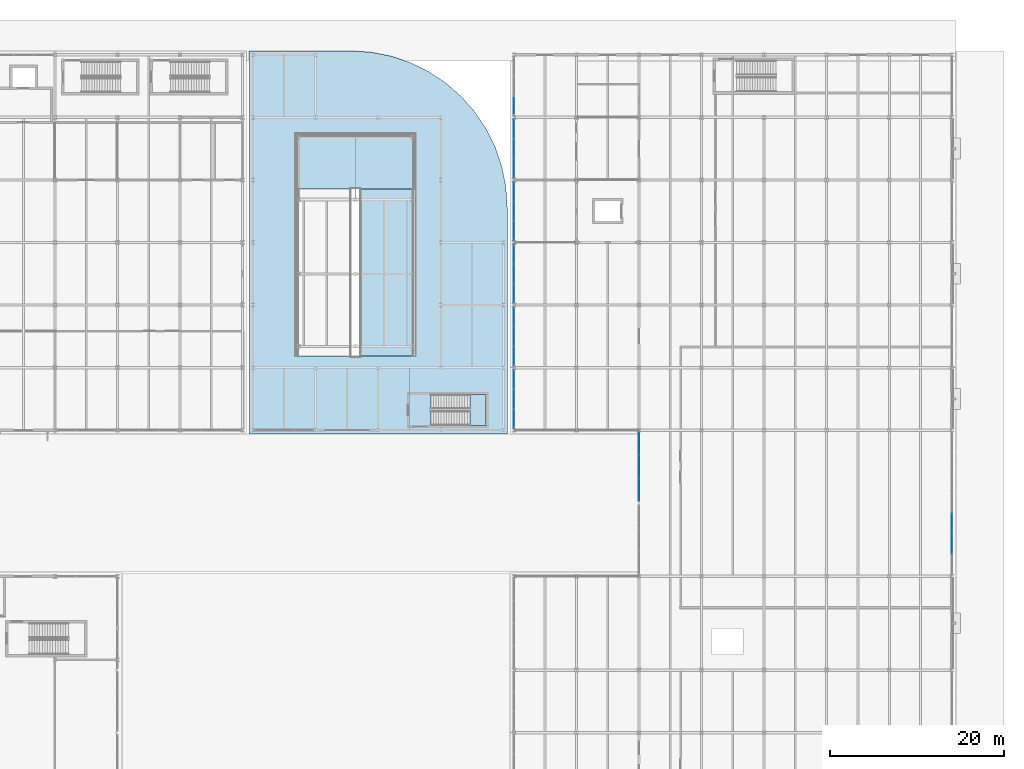
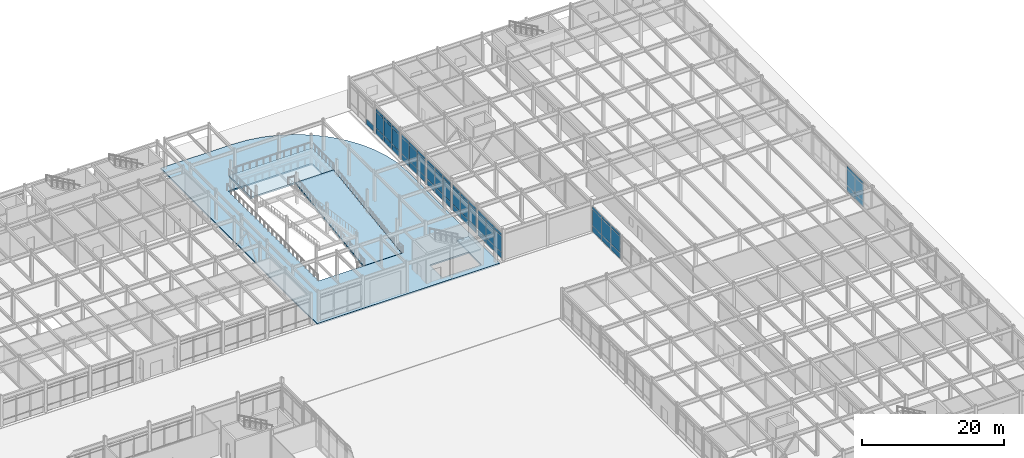
# One storey, part 65 of 104: 61 plates, 4 slabs, 9 elements without a shape of their own.
"""IFC4 building model written with IfcOpenShell, lengths in metres."""

from ifc_helpers import new_model, si_unit, direction, frame, origin, origin_2d, place, context, subcontext, project, spatial, polyline, rectangle, outline, extrude, material, layer, layer_set, type_object, element, aggregate, save


model = new_model("IFC4")

# Units and contexts
model_context = context("Model", 3, precision=1e-05, world=origin(), true_north=direction((0.0, 1.0)))
body_context = subcontext(model_context, "Body", "Model", "MODEL_VIEW")
ifc_project = project(units=[si_unit("LENGTHUNIT", "METRE"), si_unit("AREAUNIT", "SQUARE_METRE"), si_unit("VOLUMEUNIT", "CUBIC_METRE"), si_unit("PLANEANGLEUNIT", "RADIAN"), si_unit("MASSUNIT", "GRAM", prefix="KILO")], contexts=[model_context])

# Site, building, storey
site_placement = place(None, origin())
site = spatial("IfcSite", under=ifc_project, at=site_placement, CompositionType="ELEMENT")
building_placement = place(site_placement, origin())
building = spatial("IfcBuilding", under=site, at=building_placement, Name="Vaelcorin Mobility Hub", CompositionType="ELEMENT")
storey_placement = place(building_placement, origin())
storey = spatial("IfcBuildingStorey", under=building, at=storey_placement, Name="L00", CompositionType="ELEMENT", Elevation=0.0)

# Curtain wall, plates
ifc_material_1 = material(Name="Anodised aluminium 6063-T6", Category="aluminium")
curtain_wall_type = type_object("IfcCurtainWallType", Name="CW-MOB-A", PredefinedType="NOTDEFINED", material=ifc_material_1)
curtain_wall_1_placement = place(storey_placement, origin())
curtain_wall_1 = element("IfcCurtainWall", 1, at=curtain_wall_1_placement, inside=storey, type_object=curtain_wall_type, Name="L00 Curtain Wall CW-V5-L00-E-08", PredefinedType="NOTDEFINED")
ifc_material_2 = material(Name="Low-E solar-control insulated glazing", Category="glass")
ifc_layer_1 = layer(ifc_material_2, 0.031982421875)
ifc_layer_set_1 = layer_set([ifc_layer_1], Name="Low-E solar-control insulated glazing")
plate_type = type_object("IfcPlateType", Name="CW-PAN-GLZ32", PredefinedType="CURTAIN_PANEL", material=ifc_layer_set_1)
plate_1_placement = place(storey_placement, frame((204.0, 66.062744140625, 0.06005859375), z_axis=(0.0, 0.0, 1.0), x_axis=(0.0, -1.0, 0.0)))
plate_1 = element("IfcPlate", 2, at=plate_1_placement, type_object=plate_type, Name="CW7 panel 5.1", PredefinedType="CURTAIN_PANEL", context=body_context, shape_type="SweptSolid", body=[
    extrude(rectangle(XDim=2.277099609375, YDim=0.028076171875, at=origin_2d()), origin(), (0.0, 0.0, 1.0), 0.9599609375),
])
plate_2_placement = place(storey_placement, frame((204.0, 66.062744140625, 1.080078125), z_axis=(0.0, 0.0, 1.0), x_axis=(0.0, -1.0, 0.0)))
plate_2 = element("IfcPlate", 3, at=plate_2_placement, type_object=plate_type, Name="CW7 panel 5.2", PredefinedType="CURTAIN_PANEL", context=body_context, shape_type="SweptSolid", body=[
    extrude(rectangle(XDim=2.277099609375, YDim=0.028076171875, at=origin_2d()), origin(), (0.0, 0.0, 1.0), 2.781982421875),
])
plate_3_placement = place(storey_placement, frame((204.0, 66.062744140625, 3.922119140625), z_axis=(0.0, 0.0, 1.0), x_axis=(0.0, -1.0, 0.0)))
plate_3 = element("IfcPlate", 4, at=plate_3_placement, type_object=plate_type, Name="CW7 panel 5.3", PredefinedType="CURTAIN_PANEL", context=body_context, shape_type="SweptSolid", body=[
    extrude(rectangle(XDim=2.277099609375, YDim=0.028076171875, at=origin_2d()), origin(), (0.0, 0.0, 1.0), 0.4599609375),
])
plate_4_placement = place(storey_placement, frame((204.0, 63.725830078125, 0.06005859375), z_axis=(0.0, 0.0, 1.0), x_axis=(0.0, -1.0, 0.0)))
plate_4 = element("IfcPlate", 5, at=plate_4_placement, type_object=plate_type, Name="CW7 panel 6.1", PredefinedType="CURTAIN_PANEL", context=body_context, shape_type="SweptSolid", body=[
    extrude(rectangle(XDim=2.277099609375, YDim=0.028076171875, at=origin_2d()), origin(), (0.0, 0.0, 1.0), 0.9599609375),
])
plate_5_placement = place(storey_placement, frame((204.0, 63.725830078125, 1.080078125), z_axis=(0.0, 0.0, 1.0), x_axis=(0.0, -1.0, 0.0)))
plate_5 = element("IfcPlate", 6, at=plate_5_placement, type_object=plate_type, Name="CW7 panel 6.2", PredefinedType="CURTAIN_PANEL", context=body_context, shape_type="SweptSolid", body=[
    extrude(rectangle(XDim=2.277099609375, YDim=0.028076171875, at=origin_2d()), origin(), (0.0, 0.0, 1.0), 2.781982421875),
])
plate_6_placement = place(storey_placement, frame((204.0, 63.725830078125, 3.922119140625), z_axis=(0.0, 0.0, 1.0), x_axis=(0.0, -1.0, 0.0)))
plate_6 = element("IfcPlate", 7, at=plate_6_placement, type_object=plate_type, Name="CW7 panel 6.3", PredefinedType="CURTAIN_PANEL", context=body_context, shape_type="SweptSolid", body=[
    extrude(rectangle(XDim=2.277099609375, YDim=0.028076171875, at=origin_2d()), origin(), (0.0, 0.0, 1.0), 0.4599609375),
])
aggregate(curtain_wall_1, [plate_1, plate_2, plate_3, plate_4, plate_5, plate_6])

curtain_wall_2_placement = place(storey_placement, origin())
curtain_wall_2 = element("IfcCurtainWall", 8, at=curtain_wall_2_placement, inside=storey, type_object=curtain_wall_type, Name="L00 Curtain Wall CW-V5-L00-WN-01", PredefinedType="NOTDEFINED")
plate_7_placement = place(storey_placement, frame((153.60009765625, 78.16162109375, 0.06005859375), z_axis=(0.0, 0.0, 1.0), x_axis=(0.0, 1.0, 0.0)))
plate_7 = element("IfcPlate", 9, at=plate_7_placement, type_object=plate_type, Name="CW7 panel 1.1", PredefinedType="CURTAIN_PANEL", context=body_context, shape_type="SweptSolid", body=[
    extrude(rectangle(XDim=2.163330078125, YDim=0.028076171875, at=origin_2d()), origin(), (0.0, 0.0, 1.0), 0.9599609375),
])
plate_8_placement = place(storey_placement, frame((153.60009765625, 78.16162109375, 1.080078125), z_axis=(0.0, 0.0, 1.0), x_axis=(0.0, 1.0, 0.0)))
plate_8 = element("IfcPlate", 10, at=plate_8_placement, type_object=plate_type, Name="CW7 panel 1.2", PredefinedType="CURTAIN_PANEL", context=body_context, shape_type="SweptSolid", body=[
    extrude(rectangle(XDim=2.163330078125, YDim=0.028076171875, at=origin_2d()), origin(), (0.0, 0.0, 1.0), 2.781982421875),
])
plate_9_placement = place(storey_placement, frame((153.60009765625, 78.16162109375, 3.922119140625), z_axis=(0.0, 0.0, 1.0), x_axis=(0.0, 1.0, 0.0)))
plate_9 = element("IfcPlate", 11, at=plate_9_placement, type_object=plate_type, Name="CW7 panel 1.3", PredefinedType="CURTAIN_PANEL", context=body_context, shape_type="SweptSolid", body=[
    extrude(rectangle(XDim=2.163330078125, YDim=0.028076171875, at=origin_2d()), origin(), (0.0, 0.0, 1.0), 0.4599609375),
])
plate_10_placement = place(storey_placement, frame((153.60009765625, 80.39990234375, 0.06005859375), z_axis=(0.0, 0.0, 1.0), x_axis=(0.0, 1.0, 0.0)))
plate_10 = element("IfcPlate", 12, at=plate_10_placement, type_object=plate_type, Name="CW7 panel 2.1", PredefinedType="CURTAIN_PANEL", context=body_context, shape_type="SweptSolid", body=[
    extrude(rectangle(XDim=2.193359375, YDim=0.028076171875, at=origin_2d()), origin(), (0.0, 0.0, 1.0), 0.9599609375),
])
plate_11_placement = place(storey_placement, frame((153.60009765625, 80.39990234375, 1.080078125), z_axis=(0.0, 0.0, 1.0), x_axis=(0.0, 1.0, 0.0)))
plate_11 = element("IfcPlate", 13, at=plate_11_placement, type_object=plate_type, Name="CW7 panel 2.2", PredefinedType="CURTAIN_PANEL", context=body_context, shape_type="SweptSolid", body=[
    extrude(rectangle(XDim=2.193359375, YDim=0.028076171875, at=origin_2d()), origin(), (0.0, 0.0, 1.0), 2.781982421875),
])
plate_12_placement = place(storey_placement, frame((153.60009765625, 80.39990234375, 3.922119140625), z_axis=(0.0, 0.0, 1.0), x_axis=(0.0, 1.0, 0.0)))
plate_12 = element("IfcPlate", 14, at=plate_12_placement, type_object=plate_type, Name="CW7 panel 2.3", PredefinedType="CURTAIN_PANEL", context=body_context, shape_type="SweptSolid", body=[
    extrude(rectangle(XDim=2.193359375, YDim=0.028076171875, at=origin_2d()), origin(), (0.0, 0.0, 1.0), 0.4599609375),
])
plate_13_placement = place(storey_placement, frame((153.60009765625, 82.638427734375, 0.06005859375), z_axis=(0.0, 0.0, 1.0), x_axis=(0.0, 1.0, 0.0)))
plate_13 = element("IfcPlate", 15, at=plate_13_placement, type_object=plate_type, Name="CW7 panel 3.1", PredefinedType="CURTAIN_PANEL", context=body_context, shape_type="SweptSolid", body=[
    extrude(rectangle(XDim=2.163330078125, YDim=0.028076171875, at=origin_2d()), origin(), (0.0, 0.0, 1.0), 0.9599609375),
])
plate_14_placement = place(storey_placement, frame((153.60009765625, 82.638427734375, 1.080078125), z_axis=(0.0, 0.0, 1.0), x_axis=(0.0, 1.0, 0.0)))
plate_14 = element("IfcPlate", 16, at=plate_14_placement, type_object=plate_type, Name="CW7 panel 3.2", PredefinedType="CURTAIN_PANEL", context=body_context, shape_type="SweptSolid", body=[
    extrude(rectangle(XDim=2.163330078125, YDim=0.028076171875, at=origin_2d()), origin(), (0.0, 0.0, 1.0), 2.781982421875),
])
plate_15_placement = place(storey_placement, frame((153.60009765625, 82.638427734375, 3.922119140625), z_axis=(0.0, 0.0, 1.0), x_axis=(0.0, 1.0, 0.0)))
plate_15 = element("IfcPlate", 17, at=plate_15_placement, type_object=plate_type, Name="CW7 panel 3.3", PredefinedType="CURTAIN_PANEL", context=body_context, shape_type="SweptSolid", body=[
    extrude(rectangle(XDim=2.163330078125, YDim=0.028076171875, at=origin_2d()), origin(), (0.0, 0.0, 1.0), 0.4599609375),
])
aggregate(curtain_wall_2, [plate_7, plate_8, plate_9, plate_10, plate_11, plate_12, plate_13, plate_14, plate_15])

curtain_wall_3_placement = place(storey_placement, origin())
curtain_wall_3 = element("IfcCurtainWall", 18, at=curtain_wall_3_placement, inside=storey, type_object=curtain_wall_type, Name="L00 Curtain Wall CW-V5-L00-WN-02", PredefinedType="NOTDEFINED")
plate_16_placement = place(storey_placement, frame((153.60009765625, 85.361572265625, 0.06005859375), z_axis=(0.0, 0.0, 1.0), x_axis=(0.0, 1.0, 0.0)))
plate_16 = element("IfcPlate", 19, at=plate_16_placement, type_object=plate_type, Name="CW7 panel 1.1", PredefinedType="CURTAIN_PANEL", context=body_context, shape_type="SweptSolid", body=[
    extrude(rectangle(XDim=2.163330078125, YDim=0.028076171875, at=origin_2d()), origin(), (0.0, 0.0, 1.0), 0.9599609375),
])
plate_17_placement = place(storey_placement, frame((153.60009765625, 85.361572265625, 1.080078125), z_axis=(0.0, 0.0, 1.0), x_axis=(0.0, 1.0, 0.0)))
plate_17 = element("IfcPlate", 20, at=plate_17_placement, type_object=plate_type, Name="CW7 panel 1.2", PredefinedType="CURTAIN_PANEL", context=body_context, shape_type="SweptSolid", body=[
    extrude(rectangle(XDim=2.163330078125, YDim=0.028076171875, at=origin_2d()), origin(), (0.0, 0.0, 1.0), 2.781982421875),
])
plate_18_placement = place(storey_placement, frame((153.60009765625, 85.361572265625, 3.922119140625), z_axis=(0.0, 0.0, 1.0), x_axis=(0.0, 1.0, 0.0)))
plate_18 = element("IfcPlate", 21, at=plate_18_placement, type_object=plate_type, Name="CW7 panel 1.3", PredefinedType="CURTAIN_PANEL", context=body_context, shape_type="SweptSolid", body=[
    extrude(rectangle(XDim=2.163330078125, YDim=0.028076171875, at=origin_2d()), origin(), (0.0, 0.0, 1.0), 0.4599609375),
])
plate_19_placement = place(storey_placement, frame((153.60009765625, 87.60009765625, 0.06005859375), z_axis=(0.0, 0.0, 1.0), x_axis=(0.0, 1.0, 0.0)))
plate_19 = element("IfcPlate", 22, at=plate_19_placement, type_object=plate_type, Name="CW7 panel 2.1", PredefinedType="CURTAIN_PANEL", context=body_context, shape_type="SweptSolid", body=[
    extrude(rectangle(XDim=2.193359375, YDim=0.028076171875, at=origin_2d()), origin(), (0.0, 0.0, 1.0), 0.9599609375),
])
plate_20_placement = place(storey_placement, frame((153.60009765625, 87.60009765625, 1.080078125), z_axis=(0.0, 0.0, 1.0), x_axis=(0.0, 1.0, 0.0)))
plate_20 = element("IfcPlate", 23, at=plate_20_placement, type_object=plate_type, Name="CW7 panel 2.2", PredefinedType="CURTAIN_PANEL", context=body_context, shape_type="SweptSolid", body=[
    extrude(rectangle(XDim=2.193359375, YDim=0.028076171875, at=origin_2d()), origin(), (0.0, 0.0, 1.0), 2.781982421875),
])
plate_21_placement = place(storey_placement, frame((153.60009765625, 87.60009765625, 3.922119140625), z_axis=(0.0, 0.0, 1.0), x_axis=(0.0, 1.0, 0.0)))
plate_21 = element("IfcPlate", 24, at=plate_21_placement, type_object=plate_type, Name="CW7 panel 2.3", PredefinedType="CURTAIN_PANEL", context=body_context, shape_type="SweptSolid", body=[
    extrude(rectangle(XDim=2.193359375, YDim=0.028076171875, at=origin_2d()), origin(), (0.0, 0.0, 1.0), 0.4599609375),
])
plate_22_placement = place(storey_placement, frame((153.60009765625, 89.83837890625, 0.06005859375), z_axis=(0.0, 0.0, 1.0), x_axis=(0.0, 1.0, 0.0)))
plate_22 = element("IfcPlate", 25, at=plate_22_placement, type_object=plate_type, Name="CW7 panel 3.1", PredefinedType="CURTAIN_PANEL", context=body_context, shape_type="SweptSolid", body=[
    extrude(rectangle(XDim=2.163330078125, YDim=0.028076171875, at=origin_2d()), origin(), (0.0, 0.0, 1.0), 0.9599609375),
])
plate_23_placement = place(storey_placement, frame((153.60009765625, 89.83837890625, 1.080078125), z_axis=(0.0, 0.0, 1.0), x_axis=(0.0, 1.0, 0.0)))
plate_23 = element("IfcPlate", 26, at=plate_23_placement, type_object=plate_type, Name="CW7 panel 3.2", PredefinedType="CURTAIN_PANEL", context=body_context, shape_type="SweptSolid", body=[
    extrude(rectangle(XDim=2.163330078125, YDim=0.028076171875, at=origin_2d()), origin(), (0.0, 0.0, 1.0), 2.781982421875),
])
plate_24_placement = place(storey_placement, frame((153.60009765625, 89.83837890625, 3.922119140625), z_axis=(0.0, 0.0, 1.0), x_axis=(0.0, 1.0, 0.0)))
plate_24 = element("IfcPlate", 27, at=plate_24_placement, type_object=plate_type, Name="CW7 panel 3.3", PredefinedType="CURTAIN_PANEL", context=body_context, shape_type="SweptSolid", body=[
    extrude(rectangle(XDim=2.163330078125, YDim=0.028076171875, at=origin_2d()), origin(), (0.0, 0.0, 1.0), 0.4599609375),
])
aggregate(curtain_wall_3, [plate_16, plate_17, plate_18, plate_19, plate_20, plate_21, plate_22, plate_23, plate_24])

curtain_wall_4_placement = place(storey_placement, origin())
curtain_wall_4 = element("IfcCurtainWall", 28, at=curtain_wall_4_placement, inside=storey, type_object=curtain_wall_type, Name="L00 Curtain Wall CW-V5-L00-WN-03", PredefinedType="NOTDEFINED")
plate_25_placement = place(storey_placement, frame((153.60009765625, 92.561767578125, 0.06005859375), z_axis=(0.0, 0.0, 1.0), x_axis=(0.0, 1.0, 0.0)))
plate_25 = element("IfcPlate", 29, at=plate_25_placement, type_object=plate_type, Name="CW7 panel 1.1", PredefinedType="CURTAIN_PANEL", context=body_context, shape_type="SweptSolid", body=[
    extrude(rectangle(XDim=2.163330078125, YDim=0.028076171875, at=origin_2d()), origin(), (0.0, 0.0, 1.0), 0.9599609375),
])
plate_26_placement = place(storey_placement, frame((153.60009765625, 92.561767578125, 1.080078125), z_axis=(0.0, 0.0, 1.0), x_axis=(0.0, 1.0, 0.0)))
plate_26 = element("IfcPlate", 30, at=plate_26_placement, type_object=plate_type, Name="CW7 panel 1.2", PredefinedType="CURTAIN_PANEL", context=body_context, shape_type="SweptSolid", body=[
    extrude(rectangle(XDim=2.163330078125, YDim=0.028076171875, at=origin_2d()), origin(), (0.0, 0.0, 1.0), 2.781982421875),
])
plate_27_placement = place(storey_placement, frame((153.60009765625, 92.561767578125, 3.922119140625), z_axis=(0.0, 0.0, 1.0), x_axis=(0.0, 1.0, 0.0)))
plate_27 = element("IfcPlate", 31, at=plate_27_placement, type_object=plate_type, Name="CW7 panel 1.3", PredefinedType="CURTAIN_PANEL", context=body_context, shape_type="SweptSolid", body=[
    extrude(rectangle(XDim=2.163330078125, YDim=0.028076171875, at=origin_2d()), origin(), (0.0, 0.0, 1.0), 0.4599609375),
])
plate_28_placement = place(storey_placement, frame((153.60009765625, 94.800048828125, 0.06005859375), z_axis=(0.0, 0.0, 1.0), x_axis=(0.0, 1.0, 0.0)))
plate_28 = element("IfcPlate", 32, at=plate_28_placement, type_object=plate_type, Name="CW7 panel 2.1", PredefinedType="CURTAIN_PANEL", context=body_context, shape_type="SweptSolid", body=[
    extrude(rectangle(XDim=2.193359375, YDim=0.028076171875, at=origin_2d()), origin(), (0.0, 0.0, 1.0), 0.9599609375),
])
plate_29_placement = place(storey_placement, frame((153.60009765625, 94.800048828125, 1.080078125), z_axis=(0.0, 0.0, 1.0), x_axis=(0.0, 1.0, 0.0)))
plate_29 = element("IfcPlate", 33, at=plate_29_placement, type_object=plate_type, Name="CW7 panel 2.2", PredefinedType="CURTAIN_PANEL", context=body_context, shape_type="SweptSolid", body=[
    extrude(rectangle(XDim=2.193359375, YDim=0.028076171875, at=origin_2d()), origin(), (0.0, 0.0, 1.0), 2.781982421875),
])
plate_30_placement = place(storey_placement, frame((153.60009765625, 94.800048828125, 3.922119140625), z_axis=(0.0, 0.0, 1.0), x_axis=(0.0, 1.0, 0.0)))
plate_30 = element("IfcPlate", 34, at=plate_30_placement, type_object=plate_type, Name="CW7 panel 2.3", PredefinedType="CURTAIN_PANEL", context=body_context, shape_type="SweptSolid", body=[
    extrude(rectangle(XDim=2.193359375, YDim=0.028076171875, at=origin_2d()), origin(), (0.0, 0.0, 1.0), 0.4599609375),
])
plate_31_placement = place(storey_placement, frame((153.60009765625, 97.038330078125, 0.06005859375), z_axis=(0.0, 0.0, 1.0), x_axis=(0.0, 1.0, 0.0)))
plate_31 = element("IfcPlate", 35, at=plate_31_placement, type_object=plate_type, Name="CW7 panel 3.1", PredefinedType="CURTAIN_PANEL", context=body_context, shape_type="SweptSolid", body=[
    extrude(rectangle(XDim=2.163330078125, YDim=0.028076171875, at=origin_2d()), origin(), (0.0, 0.0, 1.0), 0.9599609375),
])
plate_32_placement = place(storey_placement, frame((153.60009765625, 97.038330078125, 1.080078125), z_axis=(0.0, 0.0, 1.0), x_axis=(0.0, 1.0, 0.0)))
plate_32 = element("IfcPlate", 36, at=plate_32_placement, type_object=plate_type, Name="CW7 panel 3.2", PredefinedType="CURTAIN_PANEL", context=body_context, shape_type="SweptSolid", body=[
    extrude(rectangle(XDim=2.163330078125, YDim=0.028076171875, at=origin_2d()), origin(), (0.0, 0.0, 1.0), 2.781982421875),
])
plate_33_placement = place(storey_placement, frame((153.60009765625, 97.038330078125, 3.922119140625), z_axis=(0.0, 0.0, 1.0), x_axis=(0.0, 1.0, 0.0)))
plate_33 = element("IfcPlate", 37, at=plate_33_placement, type_object=plate_type, Name="CW7 panel 3.3", PredefinedType="CURTAIN_PANEL", context=body_context, shape_type="SweptSolid", body=[
    extrude(rectangle(XDim=2.163330078125, YDim=0.028076171875, at=origin_2d()), origin(), (0.0, 0.0, 1.0), 0.4599609375),
])
aggregate(curtain_wall_4, [plate_25, plate_26, plate_27, plate_28, plate_29, plate_30, plate_31, plate_32, plate_33])

curtain_wall_5_placement = place(storey_placement, origin())
curtain_wall_5 = element("IfcCurtainWall", 38, at=curtain_wall_5_placement, inside=storey, type_object=curtain_wall_type, Name="L00 Curtain Wall CW-V5-L00-WN-04", PredefinedType="NOTDEFINED")
plate_34_placement = place(storey_placement, frame((153.60009765625, 99.76171875, 0.06005859375), z_axis=(0.0, 0.0, 1.0), x_axis=(0.0, 1.0, 0.0)))
plate_34 = element("IfcPlate", 39, at=plate_34_placement, type_object=plate_type, Name="CW7 panel 1.1", PredefinedType="CURTAIN_PANEL", context=body_context, shape_type="SweptSolid", body=[
    extrude(rectangle(XDim=2.163330078125, YDim=0.028076171875, at=origin_2d()), origin(), (0.0, 0.0, 1.0), 0.9599609375),
])
plate_35_placement = place(storey_placement, frame((153.60009765625, 99.76171875, 1.080078125), z_axis=(0.0, 0.0, 1.0), x_axis=(0.0, 1.0, 0.0)))
plate_35 = element("IfcPlate", 40, at=plate_35_placement, type_object=plate_type, Name="CW7 panel 1.2", PredefinedType="CURTAIN_PANEL", context=body_context, shape_type="SweptSolid", body=[
    extrude(rectangle(XDim=2.163330078125, YDim=0.028076171875, at=origin_2d()), origin(), (0.0, 0.0, 1.0), 2.781982421875),
])
plate_36_placement = place(storey_placement, frame((153.60009765625, 99.76171875, 3.922119140625), z_axis=(0.0, 0.0, 1.0), x_axis=(0.0, 1.0, 0.0)))
plate_36 = element("IfcPlate", 41, at=plate_36_placement, type_object=plate_type, Name="CW7 panel 1.3", PredefinedType="CURTAIN_PANEL", context=body_context, shape_type="SweptSolid", body=[
    extrude(rectangle(XDim=2.163330078125, YDim=0.028076171875, at=origin_2d()), origin(), (0.0, 0.0, 1.0), 0.4599609375),
])
plate_37_placement = place(storey_placement, frame((153.60009765625, 102.0, 0.06005859375), z_axis=(0.0, 0.0, 1.0), x_axis=(0.0, 1.0, 0.0)))
plate_37 = element("IfcPlate", 42, at=plate_37_placement, type_object=plate_type, Name="CW7 panel 2.1", PredefinedType="CURTAIN_PANEL", context=body_context, shape_type="SweptSolid", body=[
    extrude(rectangle(XDim=2.193359375, YDim=0.028076171875, at=origin_2d()), origin(), (0.0, 0.0, 1.0), 0.9599609375),
])
plate_38_placement = place(storey_placement, frame((153.60009765625, 102.0, 1.080078125), z_axis=(0.0, 0.0, 1.0), x_axis=(0.0, 1.0, 0.0)))
plate_38 = element("IfcPlate", 43, at=plate_38_placement, type_object=plate_type, Name="CW7 panel 2.2", PredefinedType="CURTAIN_PANEL", context=body_context, shape_type="SweptSolid", body=[
    extrude(rectangle(XDim=2.193359375, YDim=0.028076171875, at=origin_2d()), origin(), (0.0, 0.0, 1.0), 2.781982421875),
])
plate_39_placement = place(storey_placement, frame((153.60009765625, 102.0, 3.922119140625), z_axis=(0.0, 0.0, 1.0), x_axis=(0.0, 1.0, 0.0)))
plate_39 = element("IfcPlate", 44, at=plate_39_placement, type_object=plate_type, Name="CW7 panel 2.3", PredefinedType="CURTAIN_PANEL", context=body_context, shape_type="SweptSolid", body=[
    extrude(rectangle(XDim=2.193359375, YDim=0.028076171875, at=origin_2d()), origin(), (0.0, 0.0, 1.0), 0.4599609375),
])
plate_40_placement = place(storey_placement, frame((153.60009765625, 104.23828125, 0.06005859375), z_axis=(0.0, 0.0, 1.0), x_axis=(0.0, 1.0, 0.0)))
plate_40 = element("IfcPlate", 45, at=plate_40_placement, type_object=plate_type, Name="CW7 panel 3.1", PredefinedType="CURTAIN_PANEL", context=body_context, shape_type="SweptSolid", body=[
    extrude(rectangle(XDim=2.163330078125, YDim=0.028076171875, at=origin_2d()), origin(), (0.0, 0.0, 1.0), 0.9599609375),
])
plate_41_placement = place(storey_placement, frame((153.60009765625, 104.23828125, 1.080078125), z_axis=(0.0, 0.0, 1.0), x_axis=(0.0, 1.0, 0.0)))
plate_41 = element("IfcPlate", 46, at=plate_41_placement, type_object=plate_type, Name="CW7 panel 3.2", PredefinedType="CURTAIN_PANEL", context=body_context, shape_type="SweptSolid", body=[
    extrude(rectangle(XDim=2.163330078125, YDim=0.028076171875, at=origin_2d()), origin(), (0.0, 0.0, 1.0), 2.781982421875),
])
plate_42_placement = place(storey_placement, frame((153.60009765625, 104.23828125, 3.922119140625), z_axis=(0.0, 0.0, 1.0), x_axis=(0.0, 1.0, 0.0)))
plate_42 = element("IfcPlate", 47, at=plate_42_placement, type_object=plate_type, Name="CW7 panel 3.3", PredefinedType="CURTAIN_PANEL", context=body_context, shape_type="SweptSolid", body=[
    extrude(rectangle(XDim=2.163330078125, YDim=0.028076171875, at=origin_2d()), origin(), (0.0, 0.0, 1.0), 0.4599609375),
])
aggregate(curtain_wall_5, [plate_34, plate_35, plate_36, plate_37, plate_38, plate_39, plate_40, plate_41, plate_42])

curtain_wall_6_placement = place(storey_placement, origin())
curtain_wall_6 = element("IfcCurtainWall", 48, at=curtain_wall_6_placement, inside=storey, type_object=curtain_wall_type, Name="L00 Curtain Wall CW-V5-L00-WN-05", PredefinedType="NOTDEFINED")
plate_43_placement = place(storey_placement, frame((153.60009765625, 106.961669921875, 0.06005859375), z_axis=(0.0, 0.0, 1.0), x_axis=(0.0, 1.0, 0.0)))
plate_43 = element("IfcPlate", 49, at=plate_43_placement, type_object=plate_type, Name="CW7 panel 1.1", PredefinedType="CURTAIN_PANEL", context=body_context, shape_type="SweptSolid", body=[
    extrude(rectangle(XDim=2.163330078125, YDim=0.028076171875, at=origin_2d()), origin(), (0.0, 0.0, 1.0), 0.9599609375),
])
plate_44_placement = place(storey_placement, frame((153.60009765625, 106.961669921875, 1.080078125), z_axis=(0.0, 0.0, 1.0), x_axis=(0.0, 1.0, 0.0)))
plate_44 = element("IfcPlate", 50, at=plate_44_placement, type_object=plate_type, Name="CW7 panel 1.2", PredefinedType="CURTAIN_PANEL", context=body_context, shape_type="SweptSolid", body=[
    extrude(rectangle(XDim=2.163330078125, YDim=0.028076171875, at=origin_2d()), origin(), (0.0, 0.0, 1.0), 2.781982421875),
])
plate_45_placement = place(storey_placement, frame((153.60009765625, 106.961669921875, 3.922119140625), z_axis=(0.0, 0.0, 1.0), x_axis=(0.0, 1.0, 0.0)))
plate_45 = element("IfcPlate", 51, at=plate_45_placement, type_object=plate_type, Name="CW7 panel 1.3", PredefinedType="CURTAIN_PANEL", context=body_context, shape_type="SweptSolid", body=[
    extrude(rectangle(XDim=2.163330078125, YDim=0.028076171875, at=origin_2d()), origin(), (0.0, 0.0, 1.0), 0.4599609375),
])
plate_46_placement = place(storey_placement, frame((153.60009765625, 109.199951171875, 0.06005859375), z_axis=(0.0, 0.0, 1.0), x_axis=(0.0, 1.0, 0.0)))
plate_46 = element("IfcPlate", 52, at=plate_46_placement, type_object=plate_type, Name="CW7 panel 2.1", PredefinedType="CURTAIN_PANEL", context=body_context, shape_type="SweptSolid", body=[
    extrude(rectangle(XDim=2.193359375, YDim=0.028076171875, at=origin_2d()), origin(), (0.0, 0.0, 1.0), 0.9599609375),
])
plate_47_placement = place(storey_placement, frame((153.60009765625, 109.199951171875, 1.080078125), z_axis=(0.0, 0.0, 1.0), x_axis=(0.0, 1.0, 0.0)))
plate_47 = element("IfcPlate", 53, at=plate_47_placement, type_object=plate_type, Name="CW7 panel 2.2", PredefinedType="CURTAIN_PANEL", context=body_context, shape_type="SweptSolid", body=[
    extrude(rectangle(XDim=2.193359375, YDim=0.028076171875, at=origin_2d()), origin(), (0.0, 0.0, 1.0), 2.781982421875),
])
plate_48_placement = place(storey_placement, frame((153.60009765625, 109.199951171875, 3.922119140625), z_axis=(0.0, 0.0, 1.0), x_axis=(0.0, 1.0, 0.0)))
plate_48 = element("IfcPlate", 54, at=plate_48_placement, type_object=plate_type, Name="CW7 panel 2.3", PredefinedType="CURTAIN_PANEL", context=body_context, shape_type="SweptSolid", body=[
    extrude(rectangle(XDim=2.193359375, YDim=0.028076171875, at=origin_2d()), origin(), (0.0, 0.0, 1.0), 0.4599609375),
])
plate_49_placement = place(storey_placement, frame((153.60009765625, 111.438232421875, 0.06005859375), z_axis=(0.0, 0.0, 1.0), x_axis=(0.0, 1.0, 0.0)))
plate_49 = element("IfcPlate", 55, at=plate_49_placement, type_object=plate_type, Name="CW7 panel 3.1", PredefinedType="CURTAIN_PANEL", context=body_context, shape_type="SweptSolid", body=[
    extrude(rectangle(XDim=2.163330078125, YDim=0.028076171875, at=origin_2d()), origin(), (0.0, 0.0, 1.0), 0.9599609375),
])
plate_50_placement = place(storey_placement, frame((153.60009765625, 111.438232421875, 1.080078125), z_axis=(0.0, 0.0, 1.0), x_axis=(0.0, 1.0, 0.0)))
plate_50 = element("IfcPlate", 56, at=plate_50_placement, type_object=plate_type, Name="CW7 panel 3.2", PredefinedType="CURTAIN_PANEL", context=body_context, shape_type="SweptSolid", body=[
    extrude(rectangle(XDim=2.163330078125, YDim=0.028076171875, at=origin_2d()), origin(), (0.0, 0.0, 1.0), 2.781982421875),
])
plate_51_placement = place(storey_placement, frame((153.60009765625, 111.438232421875, 3.922119140625), z_axis=(0.0, 0.0, 1.0), x_axis=(0.0, 1.0, 0.0)))
plate_51 = element("IfcPlate", 57, at=plate_51_placement, type_object=plate_type, Name="CW7 panel 3.3", PredefinedType="CURTAIN_PANEL", context=body_context, shape_type="SweptSolid", body=[
    extrude(rectangle(XDim=2.163330078125, YDim=0.028076171875, at=origin_2d()), origin(), (0.0, 0.0, 1.0), 0.4599609375),
])
aggregate(curtain_wall_6, [plate_43, plate_44, plate_45, plate_46, plate_47, plate_48, plate_49, plate_50, plate_51])

# Curtain wall, plate
curtain_wall_7_placement = place(storey_placement, origin())
curtain_wall_7 = element("IfcCurtainWall", 58, at=curtain_wall_7_placement, inside=storey, type_object=curtain_wall_type, Name="L00 Curtain Wall CW-V5-L00-WN-06", PredefinedType="NOTDEFINED")
plate_52_placement = place(storey_placement, frame((153.60009765625, 114.16162109375, 0.06005859375), z_axis=(0.0, 0.0, 1.0), x_axis=(0.0, 1.0, 0.0)))
plate_52 = element("IfcPlate", 59, at=plate_52_placement, type_object=plate_type, Name="CW7 panel 1.1", PredefinedType="CURTAIN_PANEL", context=body_context, shape_type="SweptSolid", body=[
    extrude(rectangle(XDim=2.163330078125, YDim=0.028076171875, at=origin_2d()), origin(), (0.0, 0.0, 1.0), 0.9599609375),
])
aggregate(curtain_wall_7, [plate_52])

# Curtain wall, plates
curtain_wall_8_placement = place(storey_placement, origin())
curtain_wall_8 = element("IfcCurtainWall", 60, at=curtain_wall_8_placement, inside=storey, type_object=curtain_wall_type, Name="L00 Curtain Wall CW-V5-L00-NOTCH-2", PredefinedType="NOTDEFINED")
plate_53_placement = place(storey_placement, frame((168.0, 69.961669921875, 0.06005859375), z_axis=(0.0, 0.0, 1.0), x_axis=(0.0, 1.0, 0.0)))
plate_53 = element("IfcPlate", 61, at=plate_53_placement, type_object=plate_type, Name="CW7 panel 1.1", PredefinedType="CURTAIN_PANEL", context=body_context, shape_type="SweptSolid", body=[
    extrude(rectangle(XDim=2.563232421875, YDim=0.028076171875, at=origin_2d()), origin(), (0.0, 0.0, 1.0), 0.9599609375),
])
plate_54_placement = place(storey_placement, frame((168.0, 69.961669921875, 1.080078125), z_axis=(0.0, 0.0, 1.0), x_axis=(0.0, 1.0, 0.0)))
plate_54 = element("IfcPlate", 62, at=plate_54_placement, type_object=plate_type, Name="CW7 panel 1.2", PredefinedType="CURTAIN_PANEL", context=body_context, shape_type="SweptSolid", body=[
    extrude(rectangle(XDim=2.563232421875, YDim=0.028076171875, at=origin_2d()), origin(), (0.0, 0.0, 1.0), 2.781982421875),
])
plate_55_placement = place(storey_placement, frame((168.0, 69.961669921875, 3.922119140625), z_axis=(0.0, 0.0, 1.0), x_axis=(0.0, 1.0, 0.0)))
plate_55 = element("IfcPlate", 63, at=plate_55_placement, type_object=plate_type, Name="CW7 panel 1.3", PredefinedType="CURTAIN_PANEL", context=body_context, shape_type="SweptSolid", body=[
    extrude(rectangle(XDim=2.563232421875, YDim=0.028076171875, at=origin_2d()), origin(), (0.0, 0.0, 1.0), 0.4599609375),
])
plate_56_placement = place(storey_placement, frame((168.0, 72.60009765625, 0.06005859375), z_axis=(0.0, 0.0, 1.0), x_axis=(0.0, 1.0, 0.0)))
plate_56 = element("IfcPlate", 64, at=plate_56_placement, type_object=plate_type, Name="CW7 panel 2.1", PredefinedType="CURTAIN_PANEL", context=body_context, shape_type="SweptSolid", body=[
    extrude(rectangle(XDim=2.59326171875, YDim=0.028076171875, at=origin_2d()), origin(), (0.0, 0.0, 1.0), 0.9599609375),
])
plate_57_placement = place(storey_placement, frame((168.0, 72.60009765625, 1.080078125), z_axis=(0.0, 0.0, 1.0), x_axis=(0.0, 1.0, 0.0)))
plate_57 = element("IfcPlate", 65, at=plate_57_placement, type_object=plate_type, Name="CW7 panel 2.2", PredefinedType="CURTAIN_PANEL", context=body_context, shape_type="SweptSolid", body=[
    extrude(rectangle(XDim=2.59326171875, YDim=0.028076171875, at=origin_2d()), origin(), (0.0, 0.0, 1.0), 2.781982421875),
])
plate_58_placement = place(storey_placement, frame((168.0, 72.60009765625, 3.922119140625), z_axis=(0.0, 0.0, 1.0), x_axis=(0.0, 1.0, 0.0)))
plate_58 = element("IfcPlate", 66, at=plate_58_placement, type_object=plate_type, Name="CW7 panel 2.3", PredefinedType="CURTAIN_PANEL", context=body_context, shape_type="SweptSolid", body=[
    extrude(rectangle(XDim=2.59326171875, YDim=0.028076171875, at=origin_2d()), origin(), (0.0, 0.0, 1.0), 0.4599609375),
])
plate_59_placement = place(storey_placement, frame((168.0, 75.23828125, 0.06005859375), z_axis=(0.0, 0.0, 1.0), x_axis=(0.0, 1.0, 0.0)))
plate_59 = element("IfcPlate", 67, at=plate_59_placement, type_object=plate_type, Name="CW7 panel 3.1", PredefinedType="CURTAIN_PANEL", context=body_context, shape_type="SweptSolid", body=[
    extrude(rectangle(XDim=2.563232421875, YDim=0.028076171875, at=origin_2d()), origin(), (0.0, 0.0, 1.0), 0.9599609375),
])
plate_60_placement = place(storey_placement, frame((168.0, 75.23828125, 1.080078125), z_axis=(0.0, 0.0, 1.0), x_axis=(0.0, 1.0, 0.0)))
plate_60 = element("IfcPlate", 68, at=plate_60_placement, type_object=plate_type, Name="CW7 panel 3.2", PredefinedType="CURTAIN_PANEL", context=body_context, shape_type="SweptSolid", body=[
    extrude(rectangle(XDim=2.563232421875, YDim=0.028076171875, at=origin_2d()), origin(), (0.0, 0.0, 1.0), 2.781982421875),
])
plate_61_placement = place(storey_placement, frame((168.0, 75.23828125, 3.922119140625), z_axis=(0.0, 0.0, 1.0), x_axis=(0.0, 1.0, 0.0)))
plate_61 = element("IfcPlate", 69, at=plate_61_placement, type_object=plate_type, Name="CW7 panel 3.3", PredefinedType="CURTAIN_PANEL", context=body_context, shape_type="SweptSolid", body=[
    extrude(rectangle(XDim=2.563232421875, YDim=0.028076171875, at=origin_2d()), origin(), (0.0, 0.0, 1.0), 0.4599609375),
])
aggregate(curtain_wall_8, [plate_53, plate_54, plate_55, plate_56, plate_57, plate_58, plate_59, plate_60, plate_61])

# Stair, slab
ifc_material_3 = material(Name="Reinforced concrete f'c 45 MPa", Category="concrete")
stair_type = type_object("IfcStairType", Name="STAIR-ST2", PredefinedType="HALF_TURN_STAIR", material=ifc_material_3)
stair_placement = place(storey_placement, origin())
stair = element("IfcStair", 70, at=stair_placement, inside=storey, type_object=stair_type, Name="L00 Protected Exit Stair ST2", PredefinedType="HALF_TURN_STAIR")
ifc_layer_2 = layer(ifc_material_3, 0.199951171875)
ifc_layer_set_2 = layer_set([ifc_layer_2], Name="Reinforced concrete f'c 45 MPa")
slab_type_1 = type_object("IfcSlabType", Name="SLAB-LND-200", PredefinedType="LANDING", material=ifc_layer_set_2)
slab_1_placement = place(storey_placement, frame((0.0, 0.0, 2.5)))
slab_1 = element("IfcSlab", 71, at=slab_1_placement, type_object=slab_type_1, Name="ST2 landing 1", PredefinedType="LANDING", context=body_context, shape_type="SweptSolid", body=[
    extrude(outline(polyline([(148.550048828125, 77.35009765625), (150.39990234375, 77.35009765625), (150.39990234375, 80.909912109375), (148.550048828125, 80.909912109375), (148.550048828125, 77.35009765625)])), origin(), (0.0, 0.0, 1.0), 0.199951171875),
])
aggregate(stair, [slab_1])

# Slabs
ifc_material_4 = material(Name="Concrete f'c 35 MPa", Category="concrete")
ifc_layer_3 = layer(ifc_material_4, 0.25)
ifc_layer_set_3 = layer_set([ifc_layer_3], Name="Concrete f'c 35 MPa")
slab_type_2 = type_object("IfcSlabType", Name="SLAB-RMP", PredefinedType="FLOOR", material=ifc_layer_set_3)
slab_2_placement = place(storey_placement, frame((0.0, 0.0, -0.25)))
element("IfcSlab", 72, at=slab_2_placement, inside=storey, type_object=slab_type_2, Name="L00 V2E Ramp Transition Deck SL-V2E-L00", PredefinedType="FLOOR", context=body_context, shape_type="SweptSolid", body=[
    extrude(outline(polyline([(123.14990234375, 120.449951171875), (134.85009765625, 120.449951171875), (137.198974609375, 120.2958984375), (139.509033203125, 119.8369140625), (141.738037109375, 119.080078125), (143.85009765625, 118.0380859375), (145.80810546875, 116.72998046875), (147.577880859375, 115.177978515625), (149.1298828125, 113.407958984375), (150.43798828125, 111.449951171875), (151.47998046875, 109.337890625), (152.237060546875, 107.10888671875), (152.696044921875, 104.799072265625), (152.85009765625, 102.449951171875), (152.85009765625, 76.35009765625), (123.14990234375, 76.35009765625), (123.14990234375, 120.449951171875)]), holes=[polyline([(150.39990234375, 80.909912109375), (144.054931640625, 80.909912109375), (144.054931640625, 77.35009765625), (150.39990234375, 77.35009765625), (150.39990234375, 80.909912109375)]), polyline([(142.199951171875, 110.800048828125), (128.60009765625, 110.800048828125), (128.60009765625, 85.340087890625), (142.199951171875, 85.340087890625), (142.199951171875, 110.800048828125)])]), origin(), (0.0, 0.0, 1.0), 0.25),
])
slab_3_placement = place(storey_placement, frame((0.0, 0.0, 2.419921875)))
element("IfcSlab", 73, at=slab_3_placement, inside=storey, type_object=slab_type_2, Name="Vehicle Ramp VR-2 L00 Half-Turn Landing", PredefinedType="LANDING", context=body_context, shape_type="SweptSolid", body=[
    extrude(outline(polyline([(128.64990234375, 104.56005859375), (142.14990234375, 104.56005859375), (142.14990234375, 110.75), (128.64990234375, 110.75), (128.64990234375, 104.56005859375)])), origin(), (0.0, 0.0, 1.0), 0.280029296875),
])
ifc_layer_4 = layer(ifc_material_4, 0.280029296875)
ifc_layer_set_4 = layer_set([ifc_layer_4], Name="Concrete f'c 35 MPa")
slab_type_3 = type_object("IfcSlabType", Name="SLAB-RMP-VR2", PredefinedType="FLOOR", material=ifc_layer_set_4)
slab_4_placement = place(storey_placement, frame((135.89990234375, 85.360107421875, 0.0), z_axis=(0.0, -0.139395234807, 0.990236824458), x_axis=(1.0, 0.0, 0.0)))
element("IfcSlab", 74, at=slab_4_placement, inside=storey, type_object=slab_type_3, Name="Vehicle Ramp VR-2 Slab L00 Flight 1", PredefinedType="FLOOR", context=body_context, shape_type="SweptSolid", body=[
    extrude(outline(polyline([(0.0, 0.0), (6.2001953125, 0.0), (6.2001953125, 19.369034928709205), (0.0, 19.369034928709205), (0.0, 0.0)])), origin(), (0.0, 0.0, -1.0), 0.280029296875),
])

save(model, "model.ifc")
